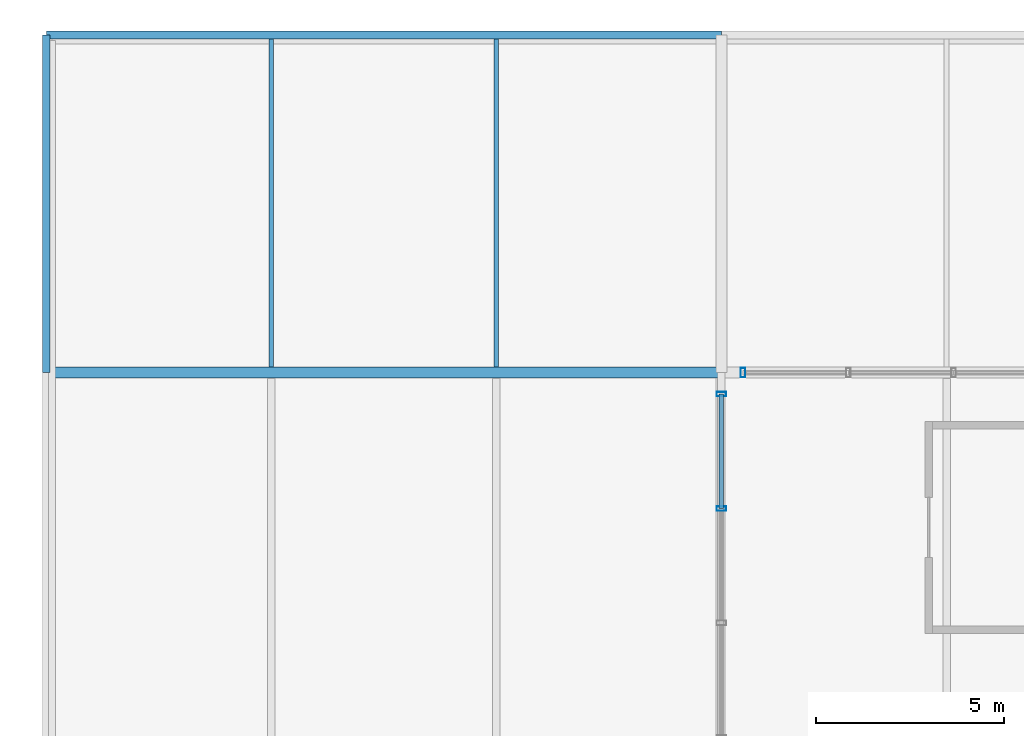
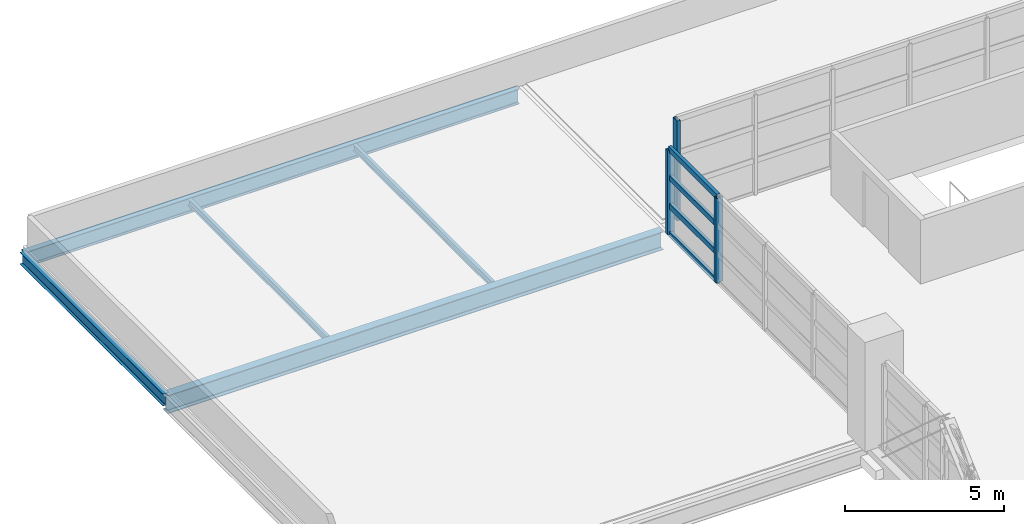
# One storey, part 33 of 136: 7 members, 5 beams, 2 elements without a shape of their own.
"""IFC4 building model written with IfcOpenShell, lengths in metres."""

from ifc_helpers import new_model, si_unit, direction, frame, origin, origin_2d, place, context, subcontext, project, spatial, hollow_rectangle, i_section, extrude, material, material_profile, profile_set, type_object, element, aggregate, save


model = new_model("IFC4")

# Units and contexts
model_context = context("Model", 3, precision=1e-05, world=origin(), true_north=direction((0.0, 1.0)))
body_context = subcontext(model_context, "Body", "Model", "MODEL_VIEW")
ifc_project = project(units=[si_unit("LENGTHUNIT", "METRE"), si_unit("AREAUNIT", "SQUARE_METRE"), si_unit("VOLUMEUNIT", "CUBIC_METRE"), si_unit("PLANEANGLEUNIT", "RADIAN"), si_unit("MASSUNIT", "GRAM", prefix="KILO")], contexts=[model_context])

# Site, building, storey
site_placement = place(None, origin())
site = spatial("IfcSite", under=ifc_project, at=site_placement, CompositionType="ELEMENT")
building_placement = place(site_placement, origin())
building = spatial("IfcBuilding", under=site, at=building_placement, Name="Chuanluo Vaults Station", CompositionType="ELEMENT")
storey_placement = place(building_placement, frame((0.0, 0.0, 6.60009765625)))
storey = spatial("IfcBuildingStorey", under=building, at=storey_placement, Name="L01", CompositionType="ELEMENT", Elevation=6.60009765625)

# Beams
ifc_material_1 = material(Name="Steel Q355C", Category="steel")
ifc_material_profile_1 = material_profile(ifc_material_1, i_section(OverallWidth=0.300048828125, OverallDepth=0.699951171875, WebThickness=0.012939453125, FlangeThickness=0.02392578125, FilletRadius=0.02197265625, at=origin_2d()))
ifc_profile_set_1 = profile_set([ifc_material_profile_1], Name="Steel Q355C")
beam_type_1 = type_object("IfcBeamType", Name="BM-GRD-700", PredefinedType="USERDEFINED", material=ifc_profile_set_1)
beam_1_placement = place(storey_placement, frame((0.0, 117.0, -0.55517578125), z_axis=(1.0, 0.0, 0.0), x_axis=(0.0, 1.0, 0.0)))
element("IfcBeam", 1, at=beam_1_placement, inside=storey, type_object=beam_type_1, Name="Floor girder BM:GX:L01:0377", ObjectType="GIRDER", PredefinedType="USERDEFINED", context=body_context, shape_type="SweptSolid", body=[
    extrude(i_section(OverallWidth=0.300048828125, OverallDepth=0.699951171875, WebThickness=0.012939453125, FlangeThickness=0.02392578125, FilletRadius=0.02197265625, at=origin_2d()), origin(), (0.0, 0.0, 1.0), 18.0),
])
ifc_material_2 = material(Name="Steel Q355C", Category="steel")
ifc_material_profile_2 = material_profile(ifc_material_2, i_section(OverallWidth=0.125, OverallDepth=0.25, WebThickness=0.006103515625, FlangeThickness=0.009033203125, FilletRadius=0.011962890625, at=origin_2d()))
ifc_profile_set_2 = profile_set([ifc_material_profile_2], Name="Steel Q355C")
beam_type_2 = type_object("IfcBeamType", Name="BM-SEC-250", PredefinedType="JOIST", material=ifc_profile_set_2)
for number, where, z_axis, x_axis, name in (
    (2, (6.0, 117.155029296875, -0.330078125), (0.0, 1.0, 0.0), (-1.0, 0.0, 0.0), "Composite secondary joist 0110"),
    (3, (12.0, 117.155029296875, -0.330078125), (0.0, 1.0, 0.0), (-1.0, 0.0, 0.0), "Composite secondary joist 0111"),
):
    element("IfcBeam", number, at=place(storey_placement, frame(where, z_axis=z_axis, x_axis=x_axis)), inside=storey, type_object=beam_type_2, Name=name, PredefinedType="JOIST", context=body_context, shape_type="SweptSolid", body=[
        extrude(i_section(OverallWidth=0.125, OverallDepth=0.25, WebThickness=0.006103515625, FlangeThickness=0.009033203125, FilletRadius=0.011962890625, at=origin_2d()), origin(), (0.0, 0.0, 1.0), 8.73486328125),
    ])
ifc_material_3 = material(Name="Steel Q355C", Category="steel")
ifc_material_profile_3 = material_profile(ifc_material_3, i_section(OverallWidth=0.205078125, OverallDepth=0.4599609375, WebThickness=0.009033203125, FlangeThickness=0.013916015625, FilletRadius=0.01611328125, at=origin_2d()))
ifc_profile_set_3 = profile_set([ifc_material_profile_3], Name="Steel Q355C")
beam_type_3 = type_object("IfcBeamType", Name="BM-SPN-450", PredefinedType="SPANDREL", material=ifc_profile_set_3)
beam_2_placement = place(storey_placement, frame((0.0, 117.0, -0.43505859375), z_axis=(0.0, 1.0, 0.0), x_axis=(-1.0, 0.0, 0.0)))
element("IfcBeam", 4, at=beam_2_placement, inside=storey, type_object=beam_type_3, Name="Floor girder BM:GY:L01:0409", PredefinedType="SPANDREL", context=body_context, shape_type="SweptSolid", body=[
    extrude(i_section(OverallWidth=0.205078125, OverallDepth=0.4599609375, WebThickness=0.009033203125, FlangeThickness=0.013916015625, FilletRadius=0.01611328125, at=origin_2d()), origin(), (0.0, 0.0, 1.0), 9.0),
])
ifc_material_4 = material(Name="Steel Q355C", Category="steel")
ifc_material_profile_4 = material_profile(ifc_material_4, i_section(OverallWidth=0.2099609375, OverallDepth=0.580078125, WebThickness=0.010986328125, FlangeThickness=0.01708984375, FilletRadius=0.01806640625, at=origin_2d()))
ifc_profile_set_4 = profile_set([ifc_material_profile_4], Name="Steel Q355C")
beam_type_4 = type_object("IfcBeamType", Name="BM-SPN-600", PredefinedType="SPANDREL", material=ifc_profile_set_4)
beam_3_placement = place(storey_placement, frame((0.0, 126.0, -0.4951171875), z_axis=(1.0, 0.0, 0.0), x_axis=(0.0, 1.0, 0.0)))
element("IfcBeam", 5, at=beam_3_placement, inside=storey, type_object=beam_type_4, Name="Floor girder BM:GX:L01:0391", PredefinedType="SPANDREL", context=body_context, shape_type="SweptSolid", body=[
    extrude(i_section(OverallWidth=0.2099609375, OverallDepth=0.580078125, WebThickness=0.010986328125, FlangeThickness=0.01708984375, FilletRadius=0.01806640625, at=origin_2d()), origin(), (0.0, 0.0, 1.0), 18.0),
])

# Curtain wall, member
ifc_material_5 = material(Name="Anodised aluminium 6063-T6", Category="aluminium")
curtain_wall_type_1 = type_object("IfcCurtainWallType", Name="CW-SYS-07", PredefinedType="NOTDEFINED", material=ifc_material_5)
curtain_wall_1_placement = place(storey_placement, origin())
curtain_wall_1 = element("IfcCurtainWall", 6, at=curtain_wall_1_placement, inside=storey, type_object=curtain_wall_type_1, Name="Over-track V2 north facade CW", PredefinedType="NOTDEFINED")
ifc_material_6 = material(Name="Anodised aluminium 6063-T6", Category="aluminium")
ifc_material_profile_5 = material_profile(ifc_material_6, hollow_rectangle(XDim=0.1201171875, YDim=0.25, WallThickness=0.006103515625, at=origin_2d()))
ifc_profile_set_5 = profile_set([ifc_material_profile_5], Name="Anodised aluminium 6063-T6")
member_type_1 = type_object("IfcMemberType", Name="CWM-160", PredefinedType="MULLION", material=ifc_profile_set_5)
member_1_placement = place(storey_placement, frame((18.574951171875, 117.0, 0.0), z_axis=(0.0, 0.0, 1.0), x_axis=(1.0, 0.0, 0.0)))
member_1 = element("IfcMember", 7, at=member_1_placement, type_object=member_type_1, Name="Over-track V2 north facade CW mullion 1", PredefinedType="MULLION", context=body_context, shape_type="SweptSolid", body=[
    extrude(hollow_rectangle(XDim=0.1201171875, YDim=0.25, WallThickness=0.006103515625, at=origin_2d()), origin(), (0.0, 0.0, 1.0), 3.849853515625),
])
aggregate(curtain_wall_1, [member_1])

# Curtain wall, members
ifc_material_7 = material(Name="Anodised aluminium 6063-T6", Category="aluminium")
curtain_wall_type_2 = type_object("IfcCurtainWallType", Name="CW-SYS-03", PredefinedType="NOTDEFINED", material=ifc_material_7)
curtain_wall_2_placement = place(storey_placement, origin())
curtain_wall_2 = element("IfcCurtainWall", 8, at=curtain_wall_2_placement, inside=storey, type_object=curtain_wall_type_2, Name="Over-track west hall CW 103", PredefinedType="NOTDEFINED")
member_2_placement = place(storey_placement, frame((18.0, 113.375, 0.0), z_axis=(0.0, 0.0, 1.0), x_axis=(0.0, 1.0, 0.0)))
member_2 = element("IfcMember", 9, at=member_2_placement, type_object=member_type_1, Name="Over-track west hall CW 103 mullion 4", PredefinedType="MULLION", context=body_context, shape_type="SweptSolid", body=[
    extrude(hollow_rectangle(XDim=0.1201171875, YDim=0.25, WallThickness=0.006103515625, at=origin_2d()), origin(), (0.0, 0.0, 1.0), 3.25),
])
member_3_placement = place(storey_placement, frame((18.0, 116.425048828125, 0.0), z_axis=(0.0, 0.0, 1.0), x_axis=(0.0, 1.0, 0.0)))
member_3 = element("IfcMember", 10, at=member_3_placement, type_object=member_type_1, Name="Over-track west hall CW 103 mullion 5", PredefinedType="MULLION", context=body_context, shape_type="SweptSolid", body=[
    extrude(hollow_rectangle(XDim=0.1201171875, YDim=0.25, WallThickness=0.006103515625, at=origin_2d()), origin(), (0.0, 0.0, 1.0), 3.25),
])
ifc_material_8 = material(Name="Anodised aluminium 6063-T6", Category="aluminium")
ifc_material_profile_6 = material_profile(ifc_material_8, hollow_rectangle(XDim=0.1201171875, YDim=0.205078125, WallThickness=0.006103515625, at=origin_2d()))
ifc_profile_set_6 = profile_set([ifc_material_profile_6], Name="Anodised aluminium 6063-T6")
member_type_2 = type_object("IfcMemberType", Name="CWT-130", PredefinedType="USERDEFINED", material=ifc_profile_set_6)
member_4_placement = place(storey_placement, frame((18.0, 113.375, 0.0), z_axis=(0.0, 1.0, 0.0), x_axis=(-1.0, 0.0, 0.0)))
member_4 = element("IfcMember", 11, at=member_4_placement, type_object=member_type_2, Name="Over-track west hall CW 103 transom 4.1", ObjectType="TRANSOM", PredefinedType="USERDEFINED", context=body_context, shape_type="SweptSolid", body=[
    extrude(hollow_rectangle(XDim=0.1201171875, YDim=0.205078125, WallThickness=0.006103515625, at=origin_2d()), origin(), (0.0, 0.0, 1.0), 3.050048828125),
])
member_5_placement = place(storey_placement, frame((18.0, 113.375, 1.083251953125), z_axis=(0.0, 1.0, 0.0), x_axis=(-1.0, 0.0, 0.0)))
member_5 = element("IfcMember", 12, at=member_5_placement, type_object=member_type_2, Name="Over-track west hall CW 103 transom 4.2", ObjectType="TRANSOM", PredefinedType="USERDEFINED", context=body_context, shape_type="SweptSolid", body=[
    extrude(hollow_rectangle(XDim=0.1201171875, YDim=0.205078125, WallThickness=0.006103515625, at=origin_2d()), origin(), (0.0, 0.0, 1.0), 3.050048828125),
])
member_6_placement = place(storey_placement, frame((18.0, 113.375, 2.16650390625), z_axis=(0.0, 1.0, 0.0), x_axis=(-1.0, 0.0, 0.0)))
member_6 = element("IfcMember", 13, at=member_6_placement, type_object=member_type_2, Name="Over-track west hall CW 103 transom 4.3", ObjectType="TRANSOM", PredefinedType="USERDEFINED", context=body_context, shape_type="SweptSolid", body=[
    extrude(hollow_rectangle(XDim=0.1201171875, YDim=0.205078125, WallThickness=0.006103515625, at=origin_2d()), origin(), (0.0, 0.0, 1.0), 3.050048828125),
])
member_7_placement = place(storey_placement, frame((18.0, 113.375, 3.25), z_axis=(0.0, 1.0, 0.0), x_axis=(-1.0, 0.0, 0.0)))
member_7 = element("IfcMember", 14, at=member_7_placement, type_object=member_type_2, Name="Over-track west hall CW 103 transom 4.4", ObjectType="TRANSOM", PredefinedType="USERDEFINED", context=body_context, shape_type="SweptSolid", body=[
    extrude(hollow_rectangle(XDim=0.1201171875, YDim=0.205078125, WallThickness=0.006103515625, at=origin_2d()), origin(), (0.0, 0.0, 1.0), 3.050048828125),
])
aggregate(curtain_wall_2, [member_2, member_3, member_4, member_5, member_6, member_7])

save(model, "model.ifc")
